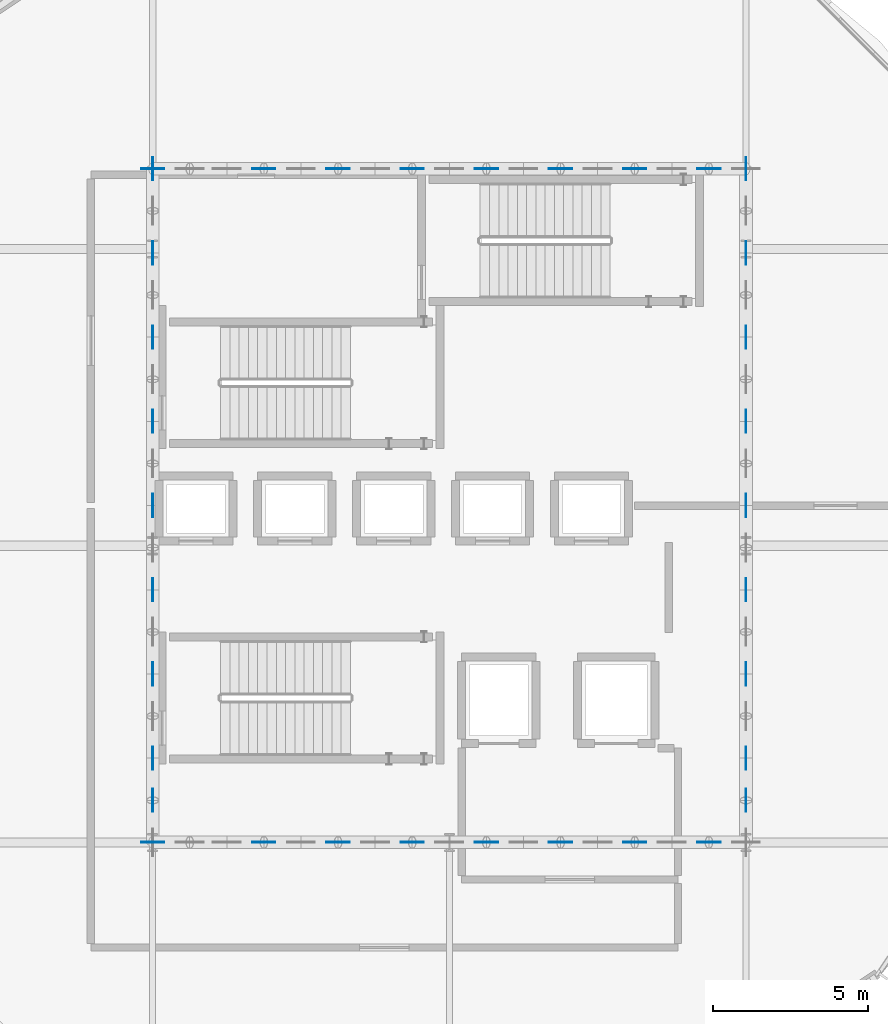
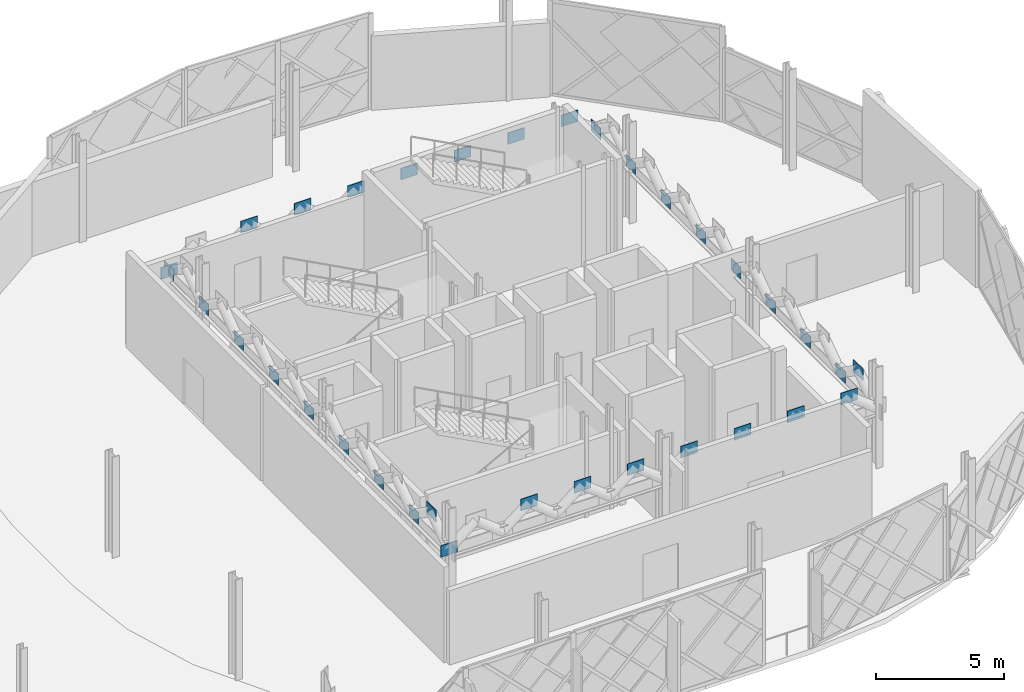
# One storey, part 47 of 77: 34 plates.
"""IFC4 building model written with IfcOpenShell, lengths in metres."""

from ifc_helpers import new_model, si_unit, direction, frame, origin, origin_2d, place, context, subcontext, project, spatial, rectangle, extrude, material, layer, layer_set, type_object, element, save


model = new_model("IFC4")

# Units and contexts
model_context = context("Model", 3, precision=1e-05, world=origin(), true_north=direction((0.0, 1.0)))
body_context = subcontext(model_context, "Body", "Model", "MODEL_VIEW")
ifc_project = project(units=[si_unit("LENGTHUNIT", "METRE"), si_unit("AREAUNIT", "SQUARE_METRE"), si_unit("VOLUMEUNIT", "CUBIC_METRE"), si_unit("PLANEANGLEUNIT", "RADIAN"), si_unit("MASSUNIT", "GRAM", prefix="KILO")], contexts=[model_context])

# Site, building, storey
site_placement = place(None, origin())
site = spatial("IfcSite", under=ifc_project, at=site_placement, CompositionType="ELEMENT")
building_placement = place(site_placement, origin())
building = spatial("IfcBuilding", under=site, at=building_placement, Name="Zevrakil Square Congress Hotel", CompositionType="ELEMENT")
storey_placement = place(building_placement, frame((0.0, 0.0, 9.89990234375)))
storey = spatial("IfcBuildingStorey", under=building, at=storey_placement, Name="L03", CompositionType="ELEMENT", Elevation=9.89990234375)

# Plates
ifc_material = material(Name="Steel S355", Category="steel")
ifc_layer = layer(ifc_material, 0.028076171875)
ifc_layer_set = layer_set([ifc_layer], Name="Steel S355")
plate_type = type_object("IfcPlateType", Name="PLT-GUSSET-750", PredefinedType="SHEET", material=ifc_layer_set)
for number, where, z_axis, x_axis, name in (
    (1, (136.800048828125, 16.800048828125, 2.42529296875), (0.0, 0.0, 1.0), (1.0, 0.0, 0.0), "L03 transfer truss cast-in wall embedment and gusset plate TN-002"),
    (2, (140.39990234375, 16.800048828125, 3.375), (0.0, 0.0, 1.0), (1.0, 0.0, 0.0), "L03 transfer truss cast-in wall embedment and gusset plate TN-004"),
    (3, (142.800048828125, 16.800048828125, 3.375), (0.0, 0.0, 1.0), (1.0, 0.0, 0.0), "L03 transfer truss cast-in wall embedment and gusset plate TN-006"),
    (4, (145.199951171875, 16.800048828125, 3.375), (0.0, 0.0, 1.0), (1.0, 0.0, 0.0), "L03 transfer truss cast-in wall embedment and gusset plate TN-008"),
    (5, (147.60009765625, 16.800048828125, 3.375), (0.0, 0.0, 1.0), (1.0, 0.0, 0.0), "L03 transfer truss cast-in wall embedment and gusset plate TN-010"),
    (6, (150.0, 16.800048828125, 3.375), (0.0, 0.0, 1.0), (1.0, 0.0, 0.0), "L03 transfer truss cast-in wall embedment and gusset plate TN-012"),
    (7, (152.39990234375, 16.800048828125, 3.375), (0.0, 0.0, 1.0), (1.0, 0.0, 0.0), "L03 transfer truss cast-in wall embedment and gusset plate TN-014"),
    (8, (154.800048828125, 16.800048828125, 3.375), (0.0, 0.0, 1.0), (1.0, 0.0, 0.0), "L03 transfer truss cast-in wall embedment and gusset plate TN-016"),
    (9, (156.0, 18.16259765625, 3.375), (0.0, 0.0, 1.0), (0.0, 1.0, 0.0), "L03 transfer truss cast-in wall embedment and gusset plate TN-018"),
    (10, (156.0, 19.52490234375, 2.42529296875), (0.0, 0.0, 1.0), (0.0, 1.0, 0.0), "L03 transfer truss cast-in wall embedment and gusset plate TN-020"),
    (11, (156.0, 22.25, 2.42529296875), (0.0, 0.0, 1.0), (0.0, 1.0, 0.0), "L03 transfer truss cast-in wall embedment and gusset plate TN-022"),
    (12, (156.0, 24.97509765625, 2.42529296875), (0.0, 0.0, 1.0), (0.0, 1.0, 0.0), "L03 transfer truss cast-in wall embedment and gusset plate TN-024"),
    (13, (156.0, 27.699951171875, 2.42529296875), (0.0, 0.0, 1.0), (0.0, 1.0, 0.0), "L03 transfer truss cast-in wall embedment and gusset plate TN-026"),
    (14, (156.0, 30.425048828125, 2.42529296875), (0.0, 0.0, 1.0), (0.0, 1.0, 0.0), "L03 transfer truss cast-in wall embedment and gusset plate TN-028"),
    (15, (156.0, 33.14990234375, 2.42529296875), (0.0, 0.0, 1.0), (0.0, 1.0, 0.0), "L03 transfer truss cast-in wall embedment and gusset plate TN-030"),
    (16, (156.0, 35.875, 2.42529296875), (0.0, 0.0, 1.0), (0.0, 1.0, 0.0), "L03 transfer truss cast-in wall embedment and gusset plate TN-032"),
    (17, (156.0, 38.60009765625, 2.42529296875), (0.0, 0.0, 1.0), (0.0, 1.0, 0.0), "L03 transfer truss cast-in wall embedment and gusset plate TN-034"),
    (18, (136.800048828125, 38.60009765625, 2.42529296875), (0.0, 0.0, 1.0), (1.0, 0.0, 0.0), "L03 transfer truss cast-in wall embedment and gusset plate TN-036"),
    (19, (140.39990234375, 38.60009765625, 3.375), (0.0, 0.0, 1.0), (1.0, 0.0, 0.0), "L03 transfer truss cast-in wall embedment and gusset plate TN-038"),
    (20, (142.800048828125, 38.60009765625, 3.375), (0.0, 0.0, 1.0), (1.0, 0.0, 0.0), "L03 transfer truss cast-in wall embedment and gusset plate TN-040"),
    (21, (145.199951171875, 38.60009765625, 3.375), (0.0, 0.0, 1.0), (1.0, 0.0, 0.0), "L03 transfer truss cast-in wall embedment and gusset plate TN-042"),
    (22, (147.60009765625, 38.60009765625, 3.375), (0.0, 0.0, 1.0), (1.0, 0.0, 0.0), "L03 transfer truss cast-in wall embedment and gusset plate TN-044"),
    (23, (150.0, 38.60009765625, 3.375), (0.0, 0.0, 1.0), (1.0, 0.0, 0.0), "L03 transfer truss cast-in wall embedment and gusset plate TN-046"),
    (24, (152.39990234375, 38.60009765625, 3.375), (0.0, 0.0, 1.0), (1.0, 0.0, 0.0), "L03 transfer truss cast-in wall embedment and gusset plate TN-048"),
    (25, (154.800048828125, 38.60009765625, 3.375), (0.0, 0.0, 1.0), (1.0, 0.0, 0.0), "L03 transfer truss cast-in wall embedment and gusset plate TN-050"),
    (26, (136.800048828125, 18.16259765625, 3.375), (0.0, 0.0, 1.0), (0.0, 1.0, 0.0), "L03 transfer truss cast-in wall embedment and gusset plate TN-052"),
    (27, (136.800048828125, 19.52490234375, 2.42529296875), (0.0, 0.0, 1.0), (0.0, 1.0, 0.0), "L03 transfer truss cast-in wall embedment and gusset plate TN-054"),
    (28, (136.800048828125, 22.25, 2.42529296875), (0.0, 0.0, 1.0), (0.0, 1.0, 0.0), "L03 transfer truss cast-in wall embedment and gusset plate TN-056"),
    (29, (136.800048828125, 24.97509765625, 2.42529296875), (0.0, 0.0, 1.0), (0.0, 1.0, 0.0), "L03 transfer truss cast-in wall embedment and gusset plate TN-058"),
    (30, (136.800048828125, 27.699951171875, 2.42529296875), (0.0, 0.0, 1.0), (0.0, 1.0, 0.0), "L03 transfer truss cast-in wall embedment and gusset plate TN-060"),
    (31, (136.800048828125, 30.425048828125, 2.42529296875), (0.0, 0.0, 1.0), (0.0, 1.0, 0.0), "L03 transfer truss cast-in wall embedment and gusset plate TN-062"),
    (32, (136.800048828125, 33.14990234375, 2.42529296875), (0.0, 0.0, 1.0), (0.0, 1.0, 0.0), "L03 transfer truss cast-in wall embedment and gusset plate TN-064"),
    (33, (136.800048828125, 35.875, 2.42529296875), (0.0, 0.0, 1.0), (0.0, 1.0, 0.0), "L03 transfer truss cast-in wall embedment and gusset plate TN-066"),
    (34, (136.800048828125, 38.60009765625, 2.42529296875), (0.0, 0.0, 1.0), (0.0, 1.0, 0.0), "L03 transfer truss cast-in wall embedment and gusset plate TN-068"),
):
    element("IfcPlate", number, at=place(storey_placement, frame(where, z_axis=z_axis, x_axis=x_axis)), inside=storey, type_object=plate_type, Name=name, PredefinedType="SHEET", context=body_context, shape_type="SweptSolid", body=[
        extrude(rectangle(XDim=0.75, YDim=0.028076171875, at=origin_2d()), origin(), (0.0, 0.0, 1.0), 0.550048828125),
    ])

save(model, "model.ifc")
